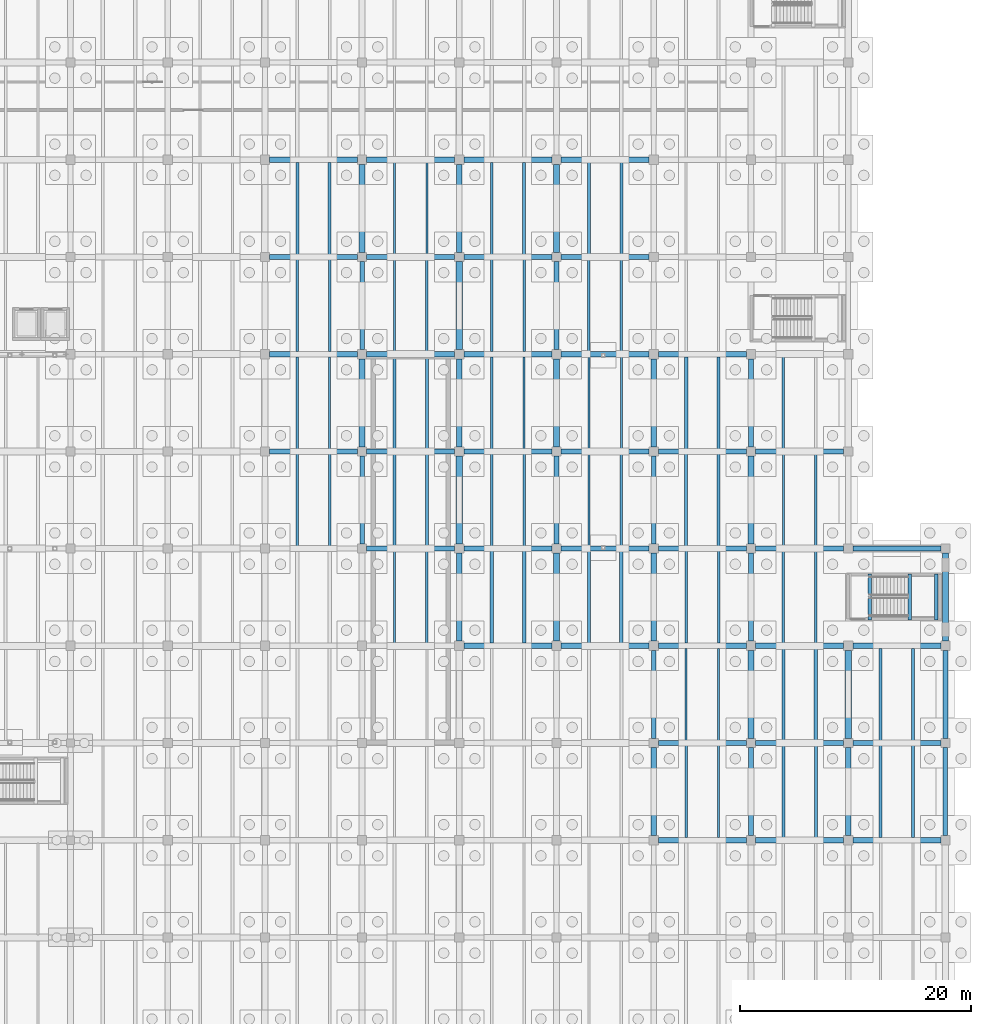
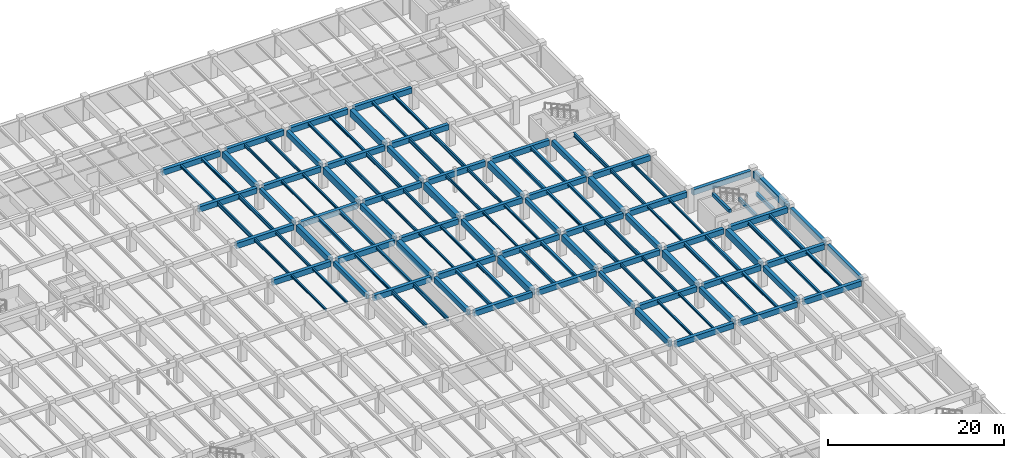
# One storey, part 32 of 70: 129 beams.
"""IFC4 building model written with IfcOpenShell, lengths in metres."""

from ifc_helpers import new_model, si_unit, direction, frame, origin, origin_2d, place, context, subcontext, project, spatial, rectangle, i_section, extrude, material, material_profile, profile_set, type_object, element, save


model = new_model("IFC4")

# Units and contexts
model_context = context("Model", 3, precision=1e-05, world=origin(), true_north=direction((0.0, 1.0)))
body_context = subcontext(model_context, "Body", "Model", "MODEL_VIEW")
ifc_project = project(units=[si_unit("LENGTHUNIT", "METRE"), si_unit("AREAUNIT", "SQUARE_METRE"), si_unit("VOLUMEUNIT", "CUBIC_METRE"), si_unit("PLANEANGLEUNIT", "RADIAN"), si_unit("MASSUNIT", "GRAM", prefix="KILO")], contexts=[model_context])

# Site, building, storey
site_placement = place(None, origin())
site = spatial("IfcSite", under=ifc_project, at=site_placement, CompositionType="ELEMENT")
building_placement = place(site_placement, origin())
building = spatial("IfcBuilding", under=site, at=building_placement, Name="Cumbredor Promenade Congress Hotel", CompositionType="ELEMENT")
storey_placement = place(building_placement, frame((0.0, 0.0, -7.56005859375)))
storey = spatial("IfcBuildingStorey", under=building, at=storey_placement, Name="B02", CompositionType="ELEMENT", Elevation=-7.56005859375)

# Beams
ifc_material_1 = material(Name="Concrete C40/50", Category="concrete")
ifc_material_profile_1 = material_profile(ifc_material_1, rectangle(XDim=0.39990234375, YDim=0.64990234375, at=origin_2d()), Name="RC BEAM 400x650")
ifc_profile_set_1 = profile_set([ifc_material_profile_1], Name="Concrete C40/50")
beam_type_1 = type_object("IfcBeamType", Name="BM-RC-400x650", PredefinedType="BEAM", material=ifc_profile_set_1)
beam_1_placement = place(storey_placement, frame((134.39990234375, 67.60009765625, 2.635009765625), z_axis=(0.0, 1.0, 0.0), x_axis=(-1.0, 0.0, 0.0)))
element("IfcBeam", 1, at=beam_1_placement, inside=storey, type_object=beam_type_1, Name="B01 Y-Grid Beam 404", PredefinedType="BEAM", context=body_context, shape_type="SweptSolid", body=[
    extrude(rectangle(XDim=0.39990234375, YDim=0.64990234375, at=origin_2d()), origin(), (0.0, 0.0, 1.0), 7.599853515625),
])
beam_2_placement = place(storey_placement, frame((134.39990234375, 84.39990234375, 2.635009765625), z_axis=(0.0, 1.0, 0.0), x_axis=(-1.0, 0.0, 0.0)))
element("IfcBeam", 2, at=beam_2_placement, inside=storey, type_object=beam_type_1, Name="B01 Y-Grid Beam 408", PredefinedType="BEAM", context=body_context, shape_type="SweptSolid", body=[
    extrude(rectangle(XDim=0.39990234375, YDim=0.64990234375, at=origin_2d()), origin(), (0.0, 0.0, 1.0), 7.60009765625),
])
for number, where, z_axis, x_axis, name in (
    (3, (159.60009765625, 50.800048828125, 2.635009765625), (0.0, 1.0, 0.0), (-1.0, 0.0, 0.0), "B01 Y-Grid Beam 480"),
    (4, (159.60009765625, 67.60009765625, 2.635009765625), (0.0, 1.0, 0.0), (-1.0, 0.0, 0.0), "B01 Y-Grid Beam 484"),
):
    element("IfcBeam", number, at=place(storey_placement, frame(where, z_axis=z_axis, x_axis=x_axis)), inside=storey, type_object=beam_type_1, Name=name, PredefinedType="BEAM", context=body_context, shape_type="SweptSolid", body=[
        extrude(rectangle(XDim=0.39990234375, YDim=0.64990234375, at=origin_2d()), origin(), (0.0, 0.0, 1.0), 7.599853515625),
    ])
beam_3_placement = place(storey_placement, frame((184.800048828125, 42.39990234375, 2.635009765625), z_axis=(0.0, 1.0, 0.0), x_axis=(-1.0, 0.0, 0.0)))
element("IfcBeam", 5, at=beam_3_placement, inside=storey, type_object=beam_type_1, Name="B01 Y-Grid Beam 544", PredefinedType="BEAM", context=body_context, shape_type="SweptSolid", body=[
    extrude(rectangle(XDim=0.39990234375, YDim=0.64990234375, at=origin_2d()), origin(), (0.0, 0.0, 1.0), 7.60009765625),
])
ifc_material_profile_2 = material_profile(ifc_material_1, rectangle(XDim=0.449951171875, YDim=0.75, at=origin_2d()), Name="RC BEAM 450x750")
ifc_profile_set_2 = profile_set([ifc_material_profile_2], Name="Concrete C40/50")
beam_type_2 = type_object("IfcBeamType", Name="BM-RC-450x750", PredefinedType="BEAM", material=ifc_profile_set_2)
for number, where, z_axis, x_axis, name in (
    (6, (126.39990234375, 75.60009765625, 2.5849609375), (1.0, 0.0, 0.0), (0.0, 1.0, 0.0), "B01 X-Grid Beam 378"),
    (7, (126.39990234375, 84.0, 2.5849609375), (1.0, 0.0, 0.0), (0.0, 1.0, 0.0), "B01 X-Grid Beam 380"),
    (8, (126.39990234375, 92.39990234375, 2.5849609375), (1.0, 0.0, 0.0), (0.0, 1.0, 0.0), "B01 X-Grid Beam 382"),
    (9, (126.39990234375, 100.800048828125, 2.5849609375), (1.0, 0.0, 0.0), (0.0, 1.0, 0.0), "B01 X-Grid Beam 384"),
):
    element("IfcBeam", number, at=place(storey_placement, frame(where, z_axis=z_axis, x_axis=x_axis)), inside=storey, type_object=beam_type_2, Name=name, PredefinedType="BEAM", context=body_context, shape_type="SweptSolid", body=[
        extrude(rectangle(XDim=0.449951171875, YDim=0.75, at=origin_2d()), origin(), (0.0, 0.0, 1.0), 7.60009765625),
    ])
for number, where, z_axis, x_axis, name in (
    (10, (134.800048828125, 67.199951171875, 2.5849609375), (1.0, 0.0, 0.0), (0.0, 1.0, 0.0), "B01 X-Grid Beam 403"),
    (11, (134.800048828125, 75.60009765625, 2.5849609375), (1.0, 0.0, 0.0), (0.0, 1.0, 0.0), "B01 X-Grid Beam 405"),
    (12, (134.800048828125, 84.0, 2.5849609375), (1.0, 0.0, 0.0), (0.0, 1.0, 0.0), "B01 X-Grid Beam 407"),
    (13, (134.800048828125, 92.39990234375, 2.5849609375), (1.0, 0.0, 0.0), (0.0, 1.0, 0.0), "B01 X-Grid Beam 409"),
    (14, (134.800048828125, 100.800048828125, 2.5849609375), (1.0, 0.0, 0.0), (0.0, 1.0, 0.0), "B01 X-Grid Beam 411"),
):
    element("IfcBeam", number, at=place(storey_placement, frame(where, z_axis=z_axis, x_axis=x_axis)), inside=storey, type_object=beam_type_2, Name=name, PredefinedType="BEAM", context=body_context, shape_type="SweptSolid", body=[
        extrude(rectangle(XDim=0.449951171875, YDim=0.75, at=origin_2d()), origin(), (0.0, 0.0, 1.0), 7.599853515625),
    ])
for number, where, z_axis, x_axis, name in (
    (15, (143.199951171875, 58.800048828125, 2.5849609375), (1.0, 0.0, 0.0), (0.0, 1.0, 0.0), "B01 X-Grid Beam 428"),
    (16, (142.800048828125, 59.199951171875, 2.5849609375), (0.0, 1.0, 0.0), (-1.0, 0.0, 0.0), "B01 Y-Grid Beam 429"),
    (17, (143.199951171875, 67.199951171875, 2.5849609375), (1.0, 0.0, 0.0), (0.0, 1.0, 0.0), "B01 X-Grid Beam 430"),
    (18, (143.199951171875, 75.60009765625, 2.5849609375), (1.0, 0.0, 0.0), (0.0, 1.0, 0.0), "B01 X-Grid Beam 432"),
    (19, (142.800048828125, 76.0, 2.5849609375), (0.0, 1.0, 0.0), (-1.0, 0.0, 0.0), "B01 Y-Grid Beam 433"),
    (20, (143.199951171875, 84.0, 2.5849609375), (1.0, 0.0, 0.0), (0.0, 1.0, 0.0), "B01 X-Grid Beam 434"),
    (21, (143.199951171875, 92.39990234375, 2.5849609375), (1.0, 0.0, 0.0), (0.0, 1.0, 0.0), "B01 X-Grid Beam 436"),
):
    element("IfcBeam", number, at=place(storey_placement, frame(where, z_axis=z_axis, x_axis=x_axis)), inside=storey, type_object=beam_type_2, Name=name, PredefinedType="BEAM", context=body_context, shape_type="SweptSolid", body=[
        extrude(rectangle(XDim=0.449951171875, YDim=0.75, at=origin_2d()), origin(), (0.0, 0.0, 1.0), 7.60009765625),
    ])
beam_4_placement = place(storey_placement, frame((142.800048828125, 92.800048828125, 2.5849609375), z_axis=(0.0, 1.0, 0.0), x_axis=(-1.0, 0.0, 0.0)))
element("IfcBeam", 22, at=beam_4_placement, inside=storey, type_object=beam_type_2, Name="B01 Y-Grid Beam 437", PredefinedType="BEAM", context=body_context, shape_type="SweptSolid", body=[
    extrude(rectangle(XDim=0.449951171875, YDim=0.75, at=origin_2d()), origin(), (0.0, 0.0, 1.0), 7.599853515625),
])
beam_5_placement = place(storey_placement, frame((143.199951171875, 100.800048828125, 2.5849609375), z_axis=(1.0, 0.0, 0.0), x_axis=(0.0, 1.0, 0.0)))
element("IfcBeam", 23, at=beam_5_placement, inside=storey, type_object=beam_type_2, Name="B01 X-Grid Beam 438", PredefinedType="BEAM", context=body_context, shape_type="SweptSolid", body=[
    extrude(rectangle(XDim=0.449951171875, YDim=0.75, at=origin_2d()), origin(), (0.0, 0.0, 1.0), 7.60009765625),
])
for number, where, z_axis, x_axis, name in (
    (24, (151.60009765625, 58.800048828125, 2.5849609375), (1.0, 0.0, 0.0), (0.0, 1.0, 0.0), "B01 X-Grid Beam 454"),
    (25, (151.60009765625, 67.199951171875, 2.5849609375), (1.0, 0.0, 0.0), (0.0, 1.0, 0.0), "B01 X-Grid Beam 456"),
    (26, (151.199951171875, 67.60009765625, 2.5849609375), (0.0, 1.0, 0.0), (-1.0, 0.0, 0.0), "B01 Y-Grid Beam 457"),
    (27, (151.60009765625, 75.60009765625, 2.5849609375), (1.0, 0.0, 0.0), (0.0, 1.0, 0.0), "B01 X-Grid Beam 458"),
    (28, (151.60009765625, 84.0, 2.5849609375), (1.0, 0.0, 0.0), (0.0, 1.0, 0.0), "B01 X-Grid Beam 460"),
):
    element("IfcBeam", number, at=place(storey_placement, frame(where, z_axis=z_axis, x_axis=x_axis)), inside=storey, type_object=beam_type_2, Name=name, PredefinedType="BEAM", context=body_context, shape_type="SweptSolid", body=[
        extrude(rectangle(XDim=0.449951171875, YDim=0.75, at=origin_2d()), origin(), (0.0, 0.0, 1.0), 7.599853515625),
    ])
beam_6_placement = place(storey_placement, frame((151.199951171875, 84.39990234375, 2.5849609375), z_axis=(0.0, 1.0, 0.0), x_axis=(-1.0, 0.0, 0.0)))
element("IfcBeam", 29, at=beam_6_placement, inside=storey, type_object=beam_type_2, Name="B01 Y-Grid Beam 461", PredefinedType="BEAM", context=body_context, shape_type="SweptSolid", body=[
    extrude(rectangle(XDim=0.449951171875, YDim=0.75, at=origin_2d()), origin(), (0.0, 0.0, 1.0), 7.60009765625),
])
for number, where, z_axis, x_axis, name in (
    (30, (151.60009765625, 92.39990234375, 2.5849609375), (1.0, 0.0, 0.0), (0.0, 1.0, 0.0), "B01 X-Grid Beam 462"),
    (31, (151.60009765625, 100.800048828125, 2.5849609375), (1.0, 0.0, 0.0), (0.0, 1.0, 0.0), "B01 X-Grid Beam 464"),
):
    element("IfcBeam", number, at=place(storey_placement, frame(where, z_axis=z_axis, x_axis=x_axis)), inside=storey, type_object=beam_type_2, Name=name, PredefinedType="BEAM", context=body_context, shape_type="SweptSolid", body=[
        extrude(rectangle(XDim=0.449951171875, YDim=0.75, at=origin_2d()), origin(), (0.0, 0.0, 1.0), 7.599853515625),
    ])
for number, where, z_axis, x_axis, name in (
    (32, (160.0, 42.0, 2.5849609375), (1.0, 0.0, 0.0), (0.0, 1.0, 0.0), "B01 X-Grid Beam 477"),
    (33, (160.0, 50.39990234375, 2.5849609375), (1.0, 0.0, 0.0), (0.0, 1.0, 0.0), "B01 X-Grid Beam 479"),
    (34, (160.0, 58.800048828125, 2.5849609375), (1.0, 0.0, 0.0), (0.0, 1.0, 0.0), "B01 X-Grid Beam 481"),
    (35, (160.0, 67.199951171875, 2.5849609375), (1.0, 0.0, 0.0), (0.0, 1.0, 0.0), "B01 X-Grid Beam 483"),
    (36, (160.0, 75.60009765625, 2.5849609375), (1.0, 0.0, 0.0), (0.0, 1.0, 0.0), "B01 X-Grid Beam 485"),
    (37, (160.0, 84.0, 2.5849609375), (1.0, 0.0, 0.0), (0.0, 1.0, 0.0), "B01 X-Grid Beam 487"),
    (38, (168.39990234375, 42.0, 2.5849609375), (1.0, 0.0, 0.0), (0.0, 1.0, 0.0), "B01 X-Grid Beam 504"),
    (39, (168.0, 42.39990234375, 2.5849609375), (0.0, 1.0, 0.0), (-1.0, 0.0, 0.0), "B01 Y-Grid Beam 505"),
    (40, (168.39990234375, 50.39990234375, 2.5849609375), (1.0, 0.0, 0.0), (0.0, 1.0, 0.0), "B01 X-Grid Beam 506"),
    (41, (168.39990234375, 58.800048828125, 2.5849609375), (1.0, 0.0, 0.0), (0.0, 1.0, 0.0), "B01 X-Grid Beam 508"),
    (42, (168.0, 59.199951171875, 2.5849609375), (0.0, 1.0, 0.0), (-1.0, 0.0, 0.0), "B01 Y-Grid Beam 509"),
    (43, (168.39990234375, 67.199951171875, 2.5849609375), (1.0, 0.0, 0.0), (0.0, 1.0, 0.0), "B01 X-Grid Beam 510"),
    (44, (168.39990234375, 75.60009765625, 2.5849609375), (1.0, 0.0, 0.0), (0.0, 1.0, 0.0), "B01 X-Grid Beam 512"),
    (45, (168.0, 76.0, 2.5849609375), (0.0, 1.0, 0.0), (-1.0, 0.0, 0.0), "B01 Y-Grid Beam 513"),
):
    element("IfcBeam", number, at=place(storey_placement, frame(where, z_axis=z_axis, x_axis=x_axis)), inside=storey, type_object=beam_type_2, Name=name, PredefinedType="BEAM", context=body_context, shape_type="SweptSolid", body=[
        extrude(rectangle(XDim=0.449951171875, YDim=0.75, at=origin_2d()), origin(), (0.0, 0.0, 1.0), 7.60009765625),
    ])
beam_7_placement = place(storey_placement, frame((176.800048828125, 42.0, 2.5849609375), z_axis=(1.0, 0.0, 0.0), x_axis=(0.0, 1.0, 0.0)))
element("IfcBeam", 46, at=beam_7_placement, inside=storey, type_object=beam_type_2, Name="B01 X-Grid Beam 528", PredefinedType="BEAM", context=body_context, shape_type="SweptSolid", body=[
    extrude(rectangle(XDim=0.449951171875, YDim=0.75, at=origin_2d()), origin(), (0.0, 0.0, 1.0), 7.599853515625),
])
beam_8_placement = place(storey_placement, frame((176.39990234375, 42.39990234375, 2.5849609375), z_axis=(0.0, 1.0, 0.0), x_axis=(-1.0, 0.0, 0.0)))
element("IfcBeam", 47, at=beam_8_placement, inside=storey, type_object=beam_type_2, Name="B01 Y-Grid Beam 529", PredefinedType="BEAM", context=body_context, shape_type="SweptSolid", body=[
    extrude(rectangle(XDim=0.449951171875, YDim=0.75, at=origin_2d()), origin(), (0.0, 0.0, 1.0), 7.60009765625),
])
for number, where, z_axis, x_axis, name in (
    (48, (176.800048828125, 50.39990234375, 2.5849609375), (1.0, 0.0, 0.0), (0.0, 1.0, 0.0), "B01 X-Grid Beam 530"),
    (49, (176.800048828125, 58.800048828125, 2.5849609375), (1.0, 0.0, 0.0), (0.0, 1.0, 0.0), "B01 X-Grid Beam 532"),
    (50, (176.800048828125, 67.199951171875, 2.5849609375), (1.0, 0.0, 0.0), (0.0, 1.0, 0.0), "B01 X-Grid Beam 533"),
    (51, (184.800048828125, 50.800048828125, 2.5849609375), (0.0, 1.0, 0.0), (-1.0, 0.0, 0.0), "B01 Y-Grid Beam 545"),
):
    element("IfcBeam", number, at=place(storey_placement, frame(where, z_axis=z_axis, x_axis=x_axis)), inside=storey, type_object=beam_type_2, Name=name, PredefinedType="BEAM", context=body_context, shape_type="SweptSolid", body=[
        extrude(rectangle(XDim=0.449951171875, YDim=0.75, at=origin_2d()), origin(), (0.0, 0.0, 1.0), 7.599853515625),
    ])
ifc_material_profile_3 = material_profile(ifc_material_1, rectangle(XDim=0.5, YDim=0.85009765625, at=origin_2d()), Name="RC BEAM 500x850")
ifc_profile_set_3 = profile_set([ifc_material_profile_3], Name="Concrete C40/50")
beam_type_3 = type_object("IfcBeamType", Name="BM-RC-500x850", PredefinedType="BEAM", material=ifc_profile_set_3)
beam_9_placement = place(storey_placement, frame((134.39990234375, 76.0, 2.53515625), z_axis=(0.0, 1.0, 0.0), x_axis=(-1.0, 0.0, 0.0)))
element("IfcBeam", 52, at=beam_9_placement, inside=storey, type_object=beam_type_3, Name="B01 Y-Grid Beam 406", PredefinedType="BEAM", context=body_context, shape_type="SweptSolid", body=[
    extrude(rectangle(XDim=0.5, YDim=0.85009765625, at=origin_2d()), origin(), (0.0, 0.0, 1.0), 7.60009765625),
])
beam_10_placement = place(storey_placement, frame((134.39990234375, 92.800048828125, 2.53515625), z_axis=(0.0, 1.0, 0.0), x_axis=(-1.0, 0.0, 0.0)))
element("IfcBeam", 53, at=beam_10_placement, inside=storey, type_object=beam_type_3, Name="B01 Y-Grid Beam 410", PredefinedType="BEAM", context=body_context, shape_type="SweptSolid", body=[
    extrude(rectangle(XDim=0.5, YDim=0.85009765625, at=origin_2d()), origin(), (0.0, 0.0, 1.0), 7.599853515625),
])
for number, where, z_axis, x_axis, name in (
    (54, (159.60009765625, 42.39990234375, 2.53515625), (0.0, 1.0, 0.0), (-1.0, 0.0, 0.0), "B01 Y-Grid Beam 478"),
    (55, (159.60009765625, 59.199951171875, 2.53515625), (0.0, 1.0, 0.0), (-1.0, 0.0, 0.0), "B01 Y-Grid Beam 482"),
    (56, (159.60009765625, 76.0, 2.53515625), (0.0, 1.0, 0.0), (-1.0, 0.0, 0.0), "B01 Y-Grid Beam 486"),
    (57, (184.800048828125, 59.199951171875, 2.53515625), (0.0, 1.0, 0.0), (-1.0, 0.0, 0.0), "B01 Y-Grid Beam 546"),
):
    element("IfcBeam", number, at=place(storey_placement, frame(where, z_axis=z_axis, x_axis=x_axis)), inside=storey, type_object=beam_type_3, Name=name, PredefinedType="BEAM", context=body_context, shape_type="SweptSolid", body=[
        extrude(rectangle(XDim=0.5, YDim=0.85009765625, at=origin_2d()), origin(), (0.0, 0.0, 1.0), 7.60009765625),
    ])
ifc_material_profile_4 = material_profile(ifc_material_1, rectangle(XDim=0.550048828125, YDim=0.949951171875, at=origin_2d()), Name="RC BEAM 550x950")
ifc_profile_set_4 = profile_set([ifc_material_profile_4], Name="Concrete C40/50")
beam_type_4 = type_object("IfcBeamType", Name="BM-RC-550x950", PredefinedType="BEAM", material=ifc_profile_set_4)
beam_11_placement = place(storey_placement, frame((142.800048828125, 67.60009765625, 2.485107421875), z_axis=(0.0, 1.0, 0.0), x_axis=(-1.0, 0.0, 0.0)))
element("IfcBeam", 58, at=beam_11_placement, inside=storey, type_object=beam_type_4, Name="B01 Y-Grid Beam 431", PredefinedType="BEAM", context=body_context, shape_type="SweptSolid", body=[
    extrude(rectangle(XDim=0.550048828125, YDim=0.949951171875, at=origin_2d()), origin(), (0.0, 0.0, 1.0), 7.599853515625),
])
for number, where, z_axis, x_axis, name in (
    (59, (142.800048828125, 84.39990234375, 2.485107421875), (0.0, 1.0, 0.0), (-1.0, 0.0, 0.0), "B01 Y-Grid Beam 435"),
    (60, (151.199951171875, 59.199951171875, 2.485107421875), (0.0, 1.0, 0.0), (-1.0, 0.0, 0.0), "B01 Y-Grid Beam 455"),
    (61, (151.199951171875, 76.0, 2.485107421875), (0.0, 1.0, 0.0), (-1.0, 0.0, 0.0), "B01 Y-Grid Beam 459"),
):
    element("IfcBeam", number, at=place(storey_placement, frame(where, z_axis=z_axis, x_axis=x_axis)), inside=storey, type_object=beam_type_4, Name=name, PredefinedType="BEAM", context=body_context, shape_type="SweptSolid", body=[
        extrude(rectangle(XDim=0.550048828125, YDim=0.949951171875, at=origin_2d()), origin(), (0.0, 0.0, 1.0), 7.60009765625),
    ])
for number, where, z_axis, x_axis, name in (
    (62, (151.199951171875, 92.800048828125, 2.485107421875), (0.0, 1.0, 0.0), (-1.0, 0.0, 0.0), "B01 Y-Grid Beam 463"),
    (63, (168.0, 50.800048828125, 2.485107421875), (0.0, 1.0, 0.0), (-1.0, 0.0, 0.0), "B01 Y-Grid Beam 507"),
    (64, (168.0, 67.60009765625, 2.485107421875), (0.0, 1.0, 0.0), (-1.0, 0.0, 0.0), "B01 Y-Grid Beam 511"),
    (65, (176.39990234375, 50.800048828125, 2.485107421875), (0.0, 1.0, 0.0), (-1.0, 0.0, 0.0), "B01 Y-Grid Beam 531"),
):
    element("IfcBeam", number, at=place(storey_placement, frame(where, z_axis=z_axis, x_axis=x_axis)), inside=storey, type_object=beam_type_4, Name=name, PredefinedType="BEAM", context=body_context, shape_type="SweptSolid", body=[
        extrude(rectangle(XDim=0.550048828125, YDim=0.949951171875, at=origin_2d()), origin(), (0.0, 0.0, 1.0), 7.599853515625),
    ])
ifc_material_2 = material(Name="Steel ASTM A992 Grade 50", Category="steel")
ifc_material_profile_5 = material_profile(ifc_material_2, i_section(OverallWidth=0.202880859375, OverallDepth=0.302978515625, WebThickness=0.007568359375, FlangeThickness=0.01318359375, at=origin_2d()), Name="W12X40")
ifc_profile_set_5 = profile_set([ifc_material_profile_5], Name="Steel ASTM A992 Grade 50")
beam_type_5 = type_object("IfcBeamType", Name="JST-W12X40", PredefinedType="JOIST", material=ifc_profile_set_5)
for number, where, z_axis, x_axis, name in (
    (66, (128.800048828125, 67.425048828125, 2.80859375), (0.0, 1.0, 0.0), (-1.0, 0.0, 0.0), "B01 Secondary Floor Joist 0335"),
    (67, (131.60009765625, 67.425048828125, 2.80859375), (0.0, 1.0, 0.0), (-1.0, 0.0, 0.0), "B01 Secondary Floor Joist 0336"),
    (68, (137.199951171875, 84.22509765625, 2.80859375), (0.0, 1.0, 0.0), (-1.0, 0.0, 0.0), "B01 Secondary Floor Joist 0365"),
    (69, (140.0, 84.22509765625, 2.80859375), (0.0, 1.0, 0.0), (-1.0, 0.0, 0.0), "B01 Secondary Floor Joist 0366"),
    (70, (145.60009765625, 67.425048828125, 2.80859375), (0.0, 1.0, 0.0), (-1.0, 0.0, 0.0), "B01 Secondary Floor Joist 0385"),
    (71, (148.39990234375, 67.425048828125, 2.80859375), (0.0, 1.0, 0.0), (-1.0, 0.0, 0.0), "B01 Secondary Floor Joist 0386"),
    (72, (154.0, 67.425048828125, 2.80859375), (0.0, 1.0, 0.0), (-1.0, 0.0, 0.0), "B01 Secondary Floor Joist 0410"),
    (73, (156.800048828125, 67.425048828125, 2.80859375), (0.0, 1.0, 0.0), (-1.0, 0.0, 0.0), "B01 Secondary Floor Joist 0411"),
    (74, (162.39990234375, 42.22509765625, 2.80859375), (0.0, 1.0, 0.0), (-1.0, 0.0, 0.0), "B01 Secondary Floor Joist 0430"),
    (75, (165.199951171875, 42.22509765625, 2.80859375), (0.0, 1.0, 0.0), (-1.0, 0.0, 0.0), "B01 Secondary Floor Joist 0431"),
):
    element("IfcBeam", number, at=place(storey_placement, frame(where, z_axis=z_axis, x_axis=x_axis)), inside=storey, type_object=beam_type_5, Name=name, PredefinedType="JOIST", context=body_context, shape_type="SweptSolid", body=[
        extrude(i_section(OverallWidth=0.202880859375, OverallDepth=0.302978515625, WebThickness=0.007568359375, FlangeThickness=0.01318359375, at=origin_2d()), origin(), (0.0, 0.0, 1.0), 7.949951171875),
    ])
for number, where, z_axis, x_axis, name in (
    (76, (170.800048828125, 59.02490234375, 2.80859375), (0.0, 1.0, 0.0), (-1.0, 0.0, 0.0), "B01 Secondary Floor Joist 0460"),
    (77, (173.60009765625, 59.02490234375, 2.80859375), (0.0, 1.0, 0.0), (-1.0, 0.0, 0.0), "B01 Secondary Floor Joist 0461"),
):
    element("IfcBeam", number, at=place(storey_placement, frame(where, z_axis=z_axis, x_axis=x_axis)), inside=storey, type_object=beam_type_5, Name=name, PredefinedType="JOIST", context=body_context, shape_type="SweptSolid", body=[
        extrude(i_section(OverallWidth=0.202880859375, OverallDepth=0.302978515625, WebThickness=0.007568359375, FlangeThickness=0.01318359375, at=origin_2d()), origin(), (0.0, 0.0, 1.0), 7.9501953125),
    ])
ifc_material_profile_6 = material_profile(ifc_material_2, i_section(OverallWidth=0.2548828125, OverallDepth=0.35693359375, WebThickness=0.010498046875, FlangeThickness=0.018310546875, at=origin_2d()), Name="W14X68")
ifc_profile_set_6 = profile_set([ifc_material_profile_6], Name="Steel ASTM A992 Grade 50")
beam_type_6 = type_object("IfcBeamType", Name="JST-W14X68", PredefinedType="JOIST", material=ifc_profile_set_6)
for number, where, z_axis, x_axis, name in (
    (78, (128.800048828125, 92.625, 2.781494140625), (0.0, 1.0, 0.0), (-1.0, 0.0, 0.0), "B01 Secondary Floor Joist 0341"),
    (79, (131.60009765625, 92.625, 2.781494140625), (0.0, 1.0, 0.0), (-1.0, 0.0, 0.0), "B01 Secondary Floor Joist 0342"),
    (80, (137.199951171875, 67.425048828125, 2.781494140625), (0.0, 1.0, 0.0), (-1.0, 0.0, 0.0), "B01 Secondary Floor Joist 0361"),
    (81, (140.0, 67.425048828125, 2.781494140625), (0.0, 1.0, 0.0), (-1.0, 0.0, 0.0), "B01 Secondary Floor Joist 0362"),
    (82, (145.60009765625, 92.625, 2.781494140625), (0.0, 1.0, 0.0), (-1.0, 0.0, 0.0), "B01 Secondary Floor Joist 0391"),
    (83, (148.39990234375, 92.625, 2.781494140625), (0.0, 1.0, 0.0), (-1.0, 0.0, 0.0), "B01 Secondary Floor Joist 0392"),
    (84, (154.0, 92.625, 2.781494140625), (0.0, 1.0, 0.0), (-1.0, 0.0, 0.0), "B01 Secondary Floor Joist 0416"),
    (85, (156.800048828125, 92.625, 2.781494140625), (0.0, 1.0, 0.0), (-1.0, 0.0, 0.0), "B01 Secondary Floor Joist 0417"),
    (86, (162.39990234375, 67.425048828125, 2.781494140625), (0.0, 1.0, 0.0), (-1.0, 0.0, 0.0), "B01 Secondary Floor Joist 0436"),
    (87, (165.199951171875, 67.425048828125, 2.781494140625), (0.0, 1.0, 0.0), (-1.0, 0.0, 0.0), "B01 Secondary Floor Joist 0437"),
    (88, (170.800048828125, 42.22509765625, 2.781494140625), (0.0, 1.0, 0.0), (-1.0, 0.0, 0.0), "B01 Secondary Floor Joist 0456"),
    (89, (173.60009765625, 42.22509765625, 2.781494140625), (0.0, 1.0, 0.0), (-1.0, 0.0, 0.0), "B01 Secondary Floor Joist 0457"),
    (90, (179.199951171875, 42.22509765625, 2.781494140625), (0.0, 1.0, 0.0), (-1.0, 0.0, 0.0), "B01 Secondary Floor Joist 0476"),
    (91, (182.0, 42.22509765625, 2.781494140625), (0.0, 1.0, 0.0), (-1.0, 0.0, 0.0), "B01 Secondary Floor Joist 0477"),
):
    element("IfcBeam", number, at=place(storey_placement, frame(where, z_axis=z_axis, x_axis=x_axis)), inside=storey, type_object=beam_type_6, Name=name, PredefinedType="JOIST", context=body_context, shape_type="SweptSolid", body=[
        extrude(i_section(OverallWidth=0.2548828125, OverallDepth=0.35693359375, WebThickness=0.010498046875, FlangeThickness=0.018310546875, at=origin_2d()), origin(), (0.0, 0.0, 1.0), 7.949951171875),
    ])
ifc_material_profile_7 = material_profile(ifc_material_2, i_section(OverallWidth=0.180908203125, OverallDepth=0.4169921875, WebThickness=0.010986328125, FlangeThickness=0.018310546875, at=origin_2d()), Name="W16X57")
ifc_profile_set_7 = profile_set([ifc_material_profile_7], Name="Steel ASTM A992 Grade 50")
beam_type_7 = type_object("IfcBeamType", Name="JST-W16X57", PredefinedType="JOIST", material=ifc_profile_set_7)
for number, where, z_axis, x_axis, name in (
    (92, (128.800048828125, 75.824951171875, 2.75146484375), (0.0, 1.0, 0.0), (-1.0, 0.0, 0.0), "B01 Secondary Floor Joist 0337"),
    (93, (131.60009765625, 75.824951171875, 2.75146484375), (0.0, 1.0, 0.0), (-1.0, 0.0, 0.0), "B01 Secondary Floor Joist 0338"),
    (94, (137.199951171875, 92.625, 2.75146484375), (0.0, 1.0, 0.0), (-1.0, 0.0, 0.0), "B01 Secondary Floor Joist 0367"),
    (95, (140.0, 92.625, 2.75146484375), (0.0, 1.0, 0.0), (-1.0, 0.0, 0.0), "B01 Secondary Floor Joist 0368"),
    (96, (145.60009765625, 75.824951171875, 2.75146484375), (0.0, 1.0, 0.0), (-1.0, 0.0, 0.0), "B01 Secondary Floor Joist 0387"),
    (97, (148.39990234375, 75.824951171875, 2.75146484375), (0.0, 1.0, 0.0), (-1.0, 0.0, 0.0), "B01 Secondary Floor Joist 0388"),
    (98, (154.0, 75.824951171875, 2.75146484375), (0.0, 1.0, 0.0), (-1.0, 0.0, 0.0), "B01 Secondary Floor Joist 0412"),
    (99, (156.800048828125, 75.824951171875, 2.75146484375), (0.0, 1.0, 0.0), (-1.0, 0.0, 0.0), "B01 Secondary Floor Joist 0413"),
    (100, (162.39990234375, 50.625, 2.75146484375), (0.0, 1.0, 0.0), (-1.0, 0.0, 0.0), "B01 Secondary Floor Joist 0432"),
    (101, (165.199951171875, 50.625, 2.75146484375), (0.0, 1.0, 0.0), (-1.0, 0.0, 0.0), "B01 Secondary Floor Joist 0433"),
    (102, (170.800048828125, 67.425048828125, 2.75146484375), (0.0, 1.0, 0.0), (-1.0, 0.0, 0.0), "B01 Secondary Floor Joist 0462"),
    (103, (173.60009765625, 67.425048828125, 2.75146484375), (0.0, 1.0, 0.0), (-1.0, 0.0, 0.0), "B01 Secondary Floor Joist 0463"),
):
    element("IfcBeam", number, at=place(storey_placement, frame(where, z_axis=z_axis, x_axis=x_axis)), inside=storey, type_object=beam_type_7, Name=name, PredefinedType="JOIST", context=body_context, shape_type="SweptSolid", body=[
        extrude(i_section(OverallWidth=0.180908203125, OverallDepth=0.4169921875, WebThickness=0.010986328125, FlangeThickness=0.018310546875, at=origin_2d()), origin(), (0.0, 0.0, 1.0), 7.949951171875),
    ])
ifc_material_profile_8 = material_profile(ifc_material_2, i_section(OverallWidth=0.280029296875, OverallDepth=0.462890625, WebThickness=0.0107421875, FlangeThickness=0.017333984375, at=origin_2d()), Name="W18X76")
ifc_profile_set_8 = profile_set([ifc_material_profile_8], Name="Steel ASTM A992 Grade 50")
beam_type_8 = type_object("IfcBeamType", Name="JST-W18X76", PredefinedType="JOIST", material=ifc_profile_set_8)
for number, where, z_axis, x_axis, name in (
    (104, (137.199951171875, 75.824951171875, 2.728515625), (0.0, 1.0, 0.0), (-1.0, 0.0, 0.0), "B01 Secondary Floor Joist 0363"),
    (105, (140.0, 75.824951171875, 2.728515625), (0.0, 1.0, 0.0), (-1.0, 0.0, 0.0), "B01 Secondary Floor Joist 0364"),
):
    element("IfcBeam", number, at=place(storey_placement, frame(where, z_axis=z_axis, x_axis=x_axis)), inside=storey, type_object=beam_type_8, Name=name, PredefinedType="JOIST", context=body_context, shape_type="SweptSolid", body=[
        extrude(i_section(OverallWidth=0.280029296875, OverallDepth=0.462890625, WebThickness=0.0107421875, FlangeThickness=0.017333984375, at=origin_2d()), origin(), (0.0, 0.0, 1.0), 7.949951171875),
    ])
for number, where, z_axis, x_axis, name in (
    (106, (145.60009765625, 59.02490234375, 2.728515625), (0.0, 1.0, 0.0), (-1.0, 0.0, 0.0), "B01 Secondary Floor Joist 0383"),
    (107, (148.39990234375, 59.02490234375, 2.728515625), (0.0, 1.0, 0.0), (-1.0, 0.0, 0.0), "B01 Secondary Floor Joist 0384"),
    (108, (154.0, 59.02490234375, 2.728515625), (0.0, 1.0, 0.0), (-1.0, 0.0, 0.0), "B01 Secondary Floor Joist 0408"),
    (109, (156.800048828125, 59.02490234375, 2.728515625), (0.0, 1.0, 0.0), (-1.0, 0.0, 0.0), "B01 Secondary Floor Joist 0409"),
):
    element("IfcBeam", number, at=place(storey_placement, frame(where, z_axis=z_axis, x_axis=x_axis)), inside=storey, type_object=beam_type_8, Name=name, PredefinedType="JOIST", context=body_context, shape_type="SweptSolid", body=[
        extrude(i_section(OverallWidth=0.280029296875, OverallDepth=0.462890625, WebThickness=0.0107421875, FlangeThickness=0.017333984375, at=origin_2d()), origin(), (0.0, 0.0, 1.0), 7.9501953125),
    ])
for number, where, z_axis, x_axis, name in (
    (110, (162.39990234375, 75.824951171875, 2.728515625), (0.0, 1.0, 0.0), (-1.0, 0.0, 0.0), "B01 Secondary Floor Joist 0438"),
    (111, (165.199951171875, 75.824951171875, 2.728515625), (0.0, 1.0, 0.0), (-1.0, 0.0, 0.0), "B01 Secondary Floor Joist 0439"),
    (112, (170.800048828125, 50.625, 2.728515625), (0.0, 1.0, 0.0), (-1.0, 0.0, 0.0), "B01 Secondary Floor Joist 0458"),
    (113, (173.60009765625, 50.625, 2.728515625), (0.0, 1.0, 0.0), (-1.0, 0.0, 0.0), "B01 Secondary Floor Joist 0459"),
    (114, (179.199951171875, 50.625, 2.728515625), (0.0, 1.0, 0.0), (-1.0, 0.0, 0.0), "B01 Secondary Floor Joist 0478"),
    (115, (182.0, 50.625, 2.728515625), (0.0, 1.0, 0.0), (-1.0, 0.0, 0.0), "B01 Secondary Floor Joist 0479"),
):
    element("IfcBeam", number, at=place(storey_placement, frame(where, z_axis=z_axis, x_axis=x_axis)), inside=storey, type_object=beam_type_8, Name=name, PredefinedType="JOIST", context=body_context, shape_type="SweptSolid", body=[
        extrude(i_section(OverallWidth=0.280029296875, OverallDepth=0.462890625, WebThickness=0.0107421875, FlangeThickness=0.017333984375, at=origin_2d()), origin(), (0.0, 0.0, 1.0), 7.949951171875),
    ])
ifc_material_profile_9 = material_profile(ifc_material_2, i_section(OverallWidth=0.214111328125, OverallDepth=0.549072265625, WebThickness=0.0146484375, FlangeThickness=0.023681640625, at=origin_2d()), Name="W21X93")
ifc_profile_set_9 = profile_set([ifc_material_profile_9], Name="Steel ASTM A992 Grade 50")
beam_type_9 = type_object("IfcBeamType", Name="JST-W21X93", PredefinedType="JOIST", material=ifc_profile_set_9)
for number, where, z_axis, x_axis, name in (
    (116, (128.800048828125, 84.22509765625, 2.685546875), (0.0, 1.0, 0.0), (-1.0, 0.0, 0.0), "B01 Secondary Floor Joist 0339"),
    (117, (131.60009765625, 84.22509765625, 2.685546875), (0.0, 1.0, 0.0), (-1.0, 0.0, 0.0), "B01 Secondary Floor Joist 0340"),
):
    element("IfcBeam", number, at=place(storey_placement, frame(where, z_axis=z_axis, x_axis=x_axis)), inside=storey, type_object=beam_type_9, Name=name, PredefinedType="JOIST", context=body_context, shape_type="SweptSolid", body=[
        extrude(i_section(OverallWidth=0.214111328125, OverallDepth=0.549072265625, WebThickness=0.0146484375, FlangeThickness=0.023681640625, at=origin_2d()), origin(), (0.0, 0.0, 1.0), 7.949951171875),
    ])
for number, where, z_axis, x_axis, name in (
    (118, (137.199951171875, 59.02490234375, 2.685546875), (0.0, 1.0, 0.0), (-1.0, 0.0, 0.0), "B01 Secondary Floor Joist 0359"),
    (119, (140.0, 59.02490234375, 2.685546875), (0.0, 1.0, 0.0), (-1.0, 0.0, 0.0), "B01 Secondary Floor Joist 0360"),
):
    element("IfcBeam", number, at=place(storey_placement, frame(where, z_axis=z_axis, x_axis=x_axis)), inside=storey, type_object=beam_type_9, Name=name, PredefinedType="JOIST", context=body_context, shape_type="SweptSolid", body=[
        extrude(i_section(OverallWidth=0.214111328125, OverallDepth=0.549072265625, WebThickness=0.0146484375, FlangeThickness=0.023681640625, at=origin_2d()), origin(), (0.0, 0.0, 1.0), 7.9501953125),
    ])
for number, where, z_axis, x_axis, name in (
    (120, (145.60009765625, 84.22509765625, 2.685546875), (0.0, 1.0, 0.0), (-1.0, 0.0, 0.0), "B01 Secondary Floor Joist 0389"),
    (121, (148.39990234375, 84.22509765625, 2.685546875), (0.0, 1.0, 0.0), (-1.0, 0.0, 0.0), "B01 Secondary Floor Joist 0390"),
    (122, (154.0, 84.22509765625, 2.685546875), (0.0, 1.0, 0.0), (-1.0, 0.0, 0.0), "B01 Secondary Floor Joist 0414"),
    (123, (156.800048828125, 84.22509765625, 2.685546875), (0.0, 1.0, 0.0), (-1.0, 0.0, 0.0), "B01 Secondary Floor Joist 0415"),
):
    element("IfcBeam", number, at=place(storey_placement, frame(where, z_axis=z_axis, x_axis=x_axis)), inside=storey, type_object=beam_type_9, Name=name, PredefinedType="JOIST", context=body_context, shape_type="SweptSolid", body=[
        extrude(i_section(OverallWidth=0.214111328125, OverallDepth=0.549072265625, WebThickness=0.0146484375, FlangeThickness=0.023681640625, at=origin_2d()), origin(), (0.0, 0.0, 1.0), 7.949951171875),
    ])
for number, where, z_axis, x_axis, name in (
    (124, (162.39990234375, 59.02490234375, 2.685546875), (0.0, 1.0, 0.0), (-1.0, 0.0, 0.0), "B01 Secondary Floor Joist 0434"),
    (125, (165.199951171875, 59.02490234375, 2.685546875), (0.0, 1.0, 0.0), (-1.0, 0.0, 0.0), "B01 Secondary Floor Joist 0435"),
):
    element("IfcBeam", number, at=place(storey_placement, frame(where, z_axis=z_axis, x_axis=x_axis)), inside=storey, type_object=beam_type_9, Name=name, PredefinedType="JOIST", context=body_context, shape_type="SweptSolid", body=[
        extrude(i_section(OverallWidth=0.214111328125, OverallDepth=0.549072265625, WebThickness=0.0146484375, FlangeThickness=0.023681640625, at=origin_2d()), origin(), (0.0, 0.0, 1.0), 7.9501953125),
    ])
beam_12_placement = place(storey_placement, frame((170.800048828125, 75.824951171875, 2.685546875), z_axis=(0.0, 1.0, 0.0), x_axis=(-1.0, 0.0, 0.0)))
element("IfcBeam", 126, at=beam_12_placement, inside=storey, type_object=beam_type_9, Name="B01 Secondary Floor Joist 0464", PredefinedType="JOIST", context=body_context, shape_type="SweptSolid", body=[
    extrude(i_section(OverallWidth=0.214111328125, OverallDepth=0.549072265625, WebThickness=0.0146484375, FlangeThickness=0.023681640625, at=origin_2d()), origin(), (0.0, 0.0, 1.0), 7.949951171875),
])
ifc_material_profile_10 = material_profile(ifc_material_1, rectangle(XDim=0.300048828125, YDim=0.5, at=origin_2d()), Name="RC LINTEL 300x500")
ifc_profile_set_10 = profile_set([ifc_material_profile_10], Name="Concrete C40/50")
beam_type_10 = type_object("IfcBeamType", Name="LN-RC-300x500", PredefinedType="LINTEL", material=ifc_profile_set_10)
for number, where, z_axis, x_axis, name in (
    (127, (184.0, 61.050048828125, 1.22998046875), (0.0, 1.0, 0.0), (-1.0, 0.0, 0.0), "B02 Stair ST-10 Landing Ledger Beam E"),
    (128, (181.699951171875, 61.050048828125, 1.22998046875), (0.0, 1.0, 0.0), (-1.0, 0.0, 0.0), "B02 Stair ST-10 Landing Ledger Beam W"),
    (129, (178.25, 61.050048828125, 3.110107421875), (0.0, 1.0, 0.0), (-1.0, 0.0, 0.0), "B01 Stair ST-10 Well Header Trimmer Beam"),
):
    element("IfcBeam", number, at=place(storey_placement, frame(where, z_axis=z_axis, x_axis=x_axis)), inside=storey, type_object=beam_type_10, Name=name, PredefinedType="LINTEL", context=body_context, shape_type="SweptSolid", body=[
        extrude(rectangle(XDim=0.300048828125, YDim=0.5, at=origin_2d()), origin(), (0.0, 0.0, 1.0), 3.949951171875),
    ])

save(model, "model.ifc")
